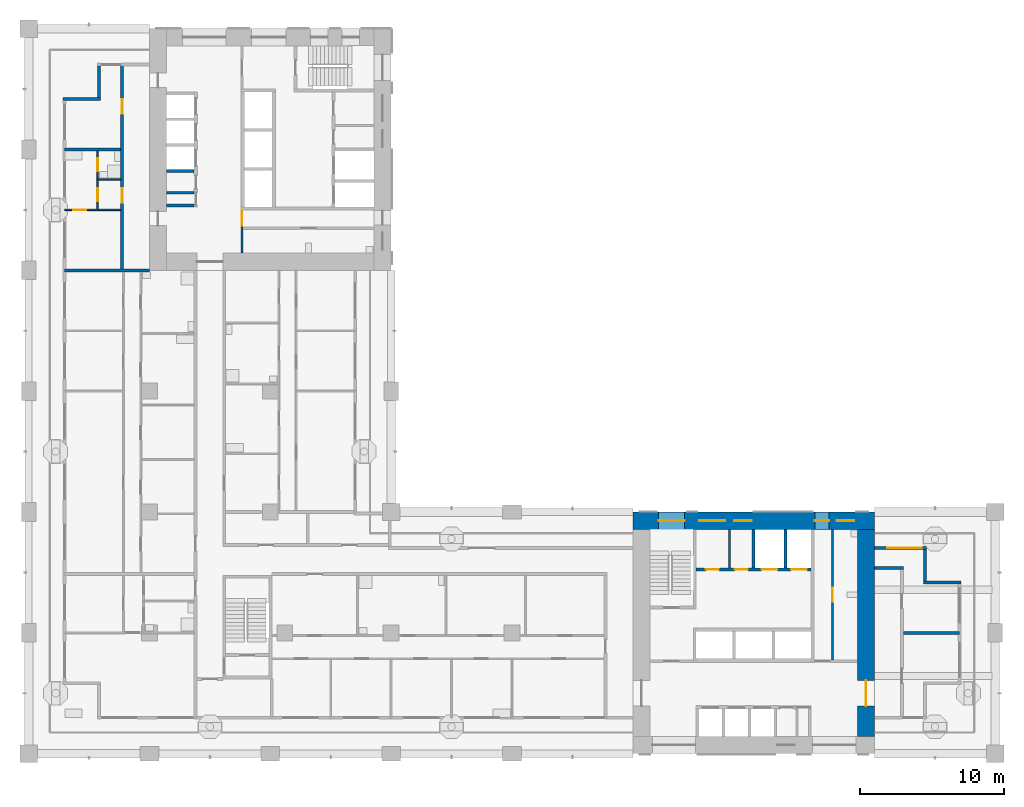
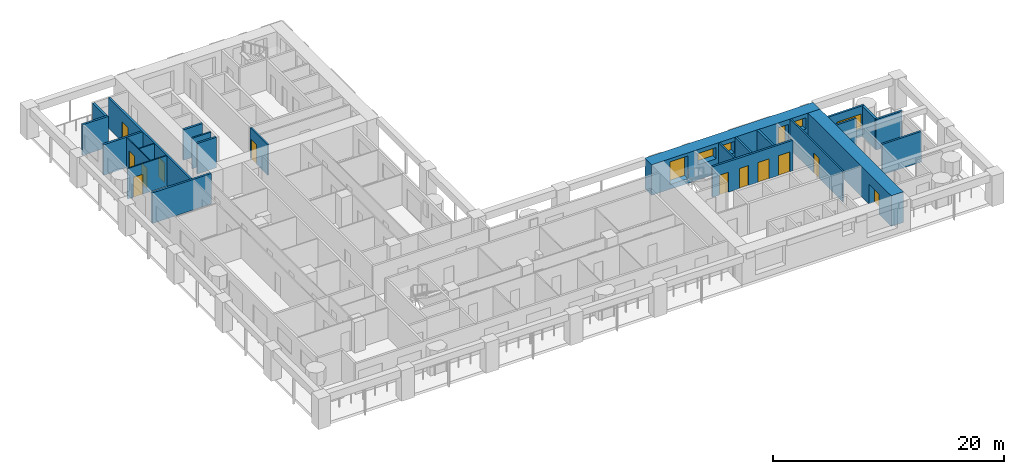
# One storey, part 6 of 18: 24 walls, 12 doors, 6 windows, 18 openings.
"""IFC4 building model written with IfcOpenShell, lengths in metres."""

import ifcopenshell
import ifcopenshell.guid

model = None  # the IFC model being written
_history = None  # IfcOwnerHistory: only IFC2X3 demands one
_inside = {}  # id of a spatial element -> (the spatial element, [elements in it])
_under = {}  # id of a project, library or spatial element -> (it, [spatial elements below it])
_declared = {}  # id of a project -> (the project, [libraries it declares])
_typed = {}  # id of a type object -> (the type object, [elements of that type])
_made_of = {}  # id of a material, layer set ... -> (it, [elements and type objects made of it])


def new_model(schema):
    """Start an empty IFC model of exactly this schema.

    Asked for "IFC4X3", IfcOpenShell would pick the latest addendum, in which some entities
    have other attributes; the version numbers below select the first issue.
    IFC2X3 requires an IfcOwnerHistory on every rooted entity: one is made here for all.
    """
    global model, _history
    if schema == "IFC4X3":
        model = ifcopenshell.file(schema_version=(4, 3, 0, 0))
    else:
        model = ifcopenshell.file(schema=schema)
    _inside.clear()
    _under.clear()
    _declared.clear()
    _typed.clear()
    _made_of.clear()
    _history = None
    if model.schema == "IFC2X3":
        org = make("IfcOrganization", Name="unknown")
        user = make(
            "IfcPersonAndOrganization",
            ThePerson=make("IfcPerson", FamilyName="unknown"),
            TheOrganization=org,
        )
        app = make(
            "IfcApplication",
            ApplicationDeveloper=org,
            Version="unknown",
            ApplicationFullName="unknown",
            ApplicationIdentifier="unknown",
        )
        _history = make(
            "IfcOwnerHistory",
            OwningUser=user,
            OwningApplication=app,
            ChangeAction="ADDED",
            CreationDate=0,
        )
    return model


def make(cls, **values):
    """One entity of the class cls with the attributes given. An attribute that is None is left unset."""
    return model.create_entity(
        cls, **{name: value for name, value in values.items() if value is not None}
    )


def rooted(cls, **values):
    """An entity with a GlobalId (a new one), such as an element, a storey or a relation."""
    return make(cls, GlobalId=ifcopenshell.guid.new(), OwnerHistory=_history, **values)


def si_unit(unit_type, name, prefix=None):
    """IfcSIUnit, for example si_unit("LENGTHUNIT", "METRE", prefix="MILLI")."""
    return make("IfcSIUnit", UnitType=unit_type, Prefix=prefix, Name=name)


def assignment(units):
    """IfcUnitAssignment: the units of a project."""
    return None if units is None else make("IfcUnitAssignment", Units=units)


def point(xyz):
    """IfcCartesianPoint."""
    return None if xyz is None else make("IfcCartesianPoint", Coordinates=xyz)


def direction(xyz):
    """IfcDirection."""
    return None if xyz is None else make("IfcDirection", DirectionRatios=xyz)


def frame(location, z_axis=None, x_axis=None):
    """IfcAxis2Placement3D, a coordinate frame: its origin and axes. An axis left out is left unset."""
    return make(
        "IfcAxis2Placement3D",
        Location=point(location),
        Axis=direction(z_axis),
        RefDirection=direction(x_axis),
    )


def frame_2d(location, x_axis=None):
    """IfcAxis2Placement2D, a coordinate frame in the plane: its origin and x axis."""
    return make(
        "IfcAxis2Placement2D", Location=point(location), RefDirection=direction(x_axis)
    )


def origin():
    """The frame at (0, 0, 0) with its axes left unset."""
    return frame((0.0, 0.0, 0.0))


def place(relative_to, where):
    """IfcLocalPlacement: puts the frame where relative to a parent placement (None: the world)."""
    return make(
        "IfcLocalPlacement", PlacementRelTo=relative_to, RelativePlacement=where
    )


def context(
    kind, dimensions, precision=None, world=None, true_north=None, identifier=None
):
    """IfcGeometricRepresentationContext, for example the 3D "Model" context."""
    return make(
        "IfcGeometricRepresentationContext",
        ContextIdentifier=identifier,
        ContextType=kind,
        CoordinateSpaceDimension=dimensions,
        Precision=precision,
        WorldCoordinateSystem=world,
        TrueNorth=true_north,
    )


def subcontext(parent, identifier, kind, view, scale=None):
    """IfcGeometricRepresentationSubContext, for example "Body" below "Model"."""
    return make(
        "IfcGeometricRepresentationSubContext",
        ContextIdentifier=identifier,
        ContextType=kind,
        ParentContext=parent,
        TargetScale=scale,
        TargetView=view,
    )


def project(units=None, contexts=None):
    """IfcProject with its units and contexts."""
    return rooted(
        "IfcProject",
        Name="project",
        RepresentationContexts=contexts,
        UnitsInContext=assignment(units),
    )


def spatial(cls, under=None, at=None, **own):
    """A site, building, storey or space (cls), placed at a placement, below another one or the project."""
    s = rooted(cls, ObjectPlacement=at, **own)
    if under is not None:
        _under.setdefault(under.id(), (under, []))[1].append(s)
    return s


def profile(cls, at=None, kind="AREA", **sizes):
    """A parametric profile (cls). Its sizes go by their IFC names, for example OverallWidth=200.0."""
    return make(cls, ProfileType=kind, Position=at, **sizes)


def rectangle(**sizes):
    """IfcRectangleProfileDef."""
    return profile("IfcRectangleProfileDef", **sizes)


def extrude(swept, where, along, depth):
    """IfcExtrudedAreaSolid: the profile swept, set in the frame where, extruded along a direction by depth."""
    return make(
        "IfcExtrudedAreaSolid",
        SweptArea=swept,
        Position=where,
        ExtrudedDirection=direction(along),
        Depth=depth,
    )


def shape(context_of_items, identifier, shape_type, items):
    """IfcShapeRepresentation: the items that make up one representation, for example the "Body"."""
    return make(
        "IfcShapeRepresentation",
        ContextOfItems=context_of_items,
        RepresentationIdentifier=identifier,
        RepresentationType=shape_type,
        Items=items,
    )


def material(Name=None, Category=None):
    """IfcMaterial."""
    return make("IfcMaterial", Name=Name, Category=Category)


def layer(
    of_material, thickness, ventilated=None, Name=None, Category=None, Priority=None
):
    """IfcMaterialLayer: one layer of a wall or slab, of a material (None: an air gap)."""
    return make(
        "IfcMaterialLayer",
        Material=of_material,
        LayerThickness=thickness,
        IsVentilated=ventilated,
        Name=Name,
        Category=Category,
        Priority=Priority,
    )


def layer_set(layers, Name=None):
    """IfcMaterialLayerSet."""
    return make("IfcMaterialLayerSet", MaterialLayers=layers, LayerSetName=Name)


def made_of(thing, what):
    """Note that an element or type object is made of a material, layer set ...; save() writes the relation."""
    if what is not None:
        _made_of.setdefault(what.id(), (what, []))[1].append(thing)
    return thing


def type_object(cls, material=None, **own):
    """A type object (cls), such as IfcWallType, which elements share."""
    return made_of(rooted(cls, **own), material)


def element(
    cls,
    number,
    at=None,
    inside=None,
    cuts=None,
    type_object=None,
    material=None,
    context=None,
    identifier="Body",
    shape_type=None,
    held_by="IfcProductDefinitionShape",
    body=None,
    shapes=None,
    **own,
):
    """One element of the class cls, such as IfcWall. Its Tag is "e" and its number.

    at: its placement. inside: the storey or other place that contains it. cuts: it is an
    opening in that element (IfcRelVoidsElement). A single representation is given by context,
    identifier, shape_type and body (its items); several are given by shapes. held_by: the class
    of the entity that holds the representations. save() writes the other relations.
    """
    e = rooted(cls, Tag="e%d" % number, ObjectPlacement=at, **own)
    if body is not None:
        shapes = [shape(context, identifier, shape_type, body)]
    if shapes is not None:
        e.Representation = make(held_by, Representations=shapes)
    if inside is not None:
        _inside.setdefault(inside.id(), (inside, []))[1].append(e)
    if cuts is not None:
        rooted(
            "IfcRelVoidsElement", RelatingBuildingElement=cuts, RelatedOpeningElement=e
        )
    if type_object is not None:
        _typed.setdefault(type_object.id(), (type_object, []))[1].append(e)
    return made_of(e, material)


def fill(opening, filler):
    """IfcRelFillsElement: the door or window that sits in an opening."""
    return rooted(
        "IfcRelFillsElement",
        RelatingOpeningElement=opening,
        RelatedBuildingElement=filler,
    )


def aggregate(whole, parts):
    """IfcRelAggregates: a whole, such as a stair, and the parts it consists of."""
    return rooted("IfcRelAggregates", RelatingObject=whole, RelatedObjects=parts)


def save(model, path):
    """Write the relations noted so far, then the file.

    IfcRelAggregates (storeys below a building ...), IfcRelContainedInSpatialStructure (elements
    in a storey), IfcRelDefinesByType, IfcRelAssociatesMaterial and IfcRelDeclares: one each for
    every whole, place, type object, material and project.
    """
    for whole, parts in _under.values():
        aggregate(whole, parts)
    for where, things in _inside.values():
        rooted(
            "IfcRelContainedInSpatialStructure",
            RelatedElements=things,
            RelatingStructure=where,
        )
    for kind, things in _typed.values():
        rooted("IfcRelDefinesByType", RelatedObjects=things, RelatingType=kind)
    for what, things in _made_of.values():
        rooted("IfcRelAssociatesMaterial", RelatedObjects=things, RelatingMaterial=what)
    for by, libraries in _declared.values():
        rooted("IfcRelDeclares", RelatingContext=by, RelatedDefinitions=libraries)
    model.write(path)


model = new_model("IFC4")

# Units and contexts
model_context = context("Model", 3, precision=1e-05, world=origin(), true_north=direction((0.0, 1.0)))
body_context = subcontext(model_context, "Body", "Model", "MODEL_VIEW")
ifc_project = project(units=[si_unit("LENGTHUNIT", "METRE"), si_unit("AREAUNIT", "SQUARE_METRE"), si_unit("VOLUMEUNIT", "CUBIC_METRE"), si_unit("PLANEANGLEUNIT", "RADIAN"), si_unit("MASSUNIT", "GRAM", prefix="KILO")], contexts=[model_context])

# Site, building, storey
site_placement = place(None, origin())
site = spatial("IfcSite", under=ifc_project, at=site_placement, CompositionType="ELEMENT")
building_placement = place(site_placement, origin())
building = spatial("IfcBuilding", under=site, at=building_placement, Name="Vermilion Gate Residences", CompositionType="ELEMENT")
storey_placement = place(building_placement, frame((0.0, 0.0, 105.699951171875)))
storey = spatial("IfcBuildingStorey", under=building, at=storey_placement, Name="L26", CompositionType="ELEMENT", Elevation=105.699951171875)

# Wall
ifc_material_1 = material(Name="Masonry blockwork", Category="masonry")
ifc_layer_1 = layer(ifc_material_1, 0.14990234375)
ifc_layer_set_1 = layer_set([ifc_layer_1], Name="BLOCKWORK PARTITION 150 EI 120")
wall_type_1 = type_object("IfcWallType", Name="BLOCKWORK PARTITION 150 EI 120", PredefinedType="PARTITIONING", material=ifc_layer_set_1)
wall_1_placement = place(storey_placement, frame((48.72509765625, 21.300048828125, 0.0), z_axis=(0.0, 0.0, 1.0), x_axis=(0.0, 1.0, 0.0)))
element("IfcWall", 1, at=wall_1_placement, inside=storey, type_object=wall_type_1, Name="Core room partition A26-NR-P0", PredefinedType="PARTITIONING", context=body_context, shape_type="SweptSolid", body=[
    extrude(rectangle(XDim=2.699951171875, YDim=0.14990234375, at=frame_2d((1.35009765625, 0.0))), origin(), (0.0, 0.0, 1.0), 3.219970703125),
])

# Wall, opening, door
wall_2_placement = place(storey_placement, frame((55.875, 14.89990234375, 0.0), z_axis=(0.0, 0.0, 1.0), x_axis=(0.0, 1.0, 0.0)))
wall_2 = element("IfcWall", 2, at=wall_2_placement, inside=storey, type_object=wall_type_1, Name="Core room partition A26-ES-W", PredefinedType="PARTITIONING", context=body_context, shape_type="SweptSolid", body=[
    extrude(rectangle(XDim=9.10009765625, YDim=0.14990234375, at=frame_2d((4.550048828125, 0.0))), origin(), (0.0, 0.0, 1.0), 3.219970703125),
])
opening_1_placement = place(wall_2_placement, frame((4.050048828125, 0.0, 0.0)))
opening_1 = element("IfcOpeningElement", 3, at=opening_1_placement, cuts=wall_2, Name="Opening DK26015", PredefinedType="OPENING", context=body_context, shape_type="SweptSolid", body=[
    extrude(rectangle(XDim=1.0, YDim=2.10009765625, at=frame_2d((0.5, 1.050048828125))), frame((0.0, 0.0849609375, 0.0), z_axis=(0.0, -1.0, 0.0), x_axis=(1.0, 0.0, 0.0)), (0.0, 0.0, 1.0), 0.169921875),
])
ifc_material_2 = material(Name="Steel", Category="steel")
door_type_1 = type_object("IfcDoorType", Name="FIRE DOOR FD60 1000 X 2100", OperationType="SINGLE_SWING_LEFT", PredefinedType="DOOR", material=ifc_material_2)
door_1_placement = place(opening_1_placement, frame((1.0, 0.0, 0.0), z_axis=(0.0, 0.0, 1.0), x_axis=(-1.0, 0.0, 0.0)))
door_1 = element("IfcDoor", 4, at=door_1_placement, inside=storey, type_object=door_type_1, Name="Accessible WC A26", OperationType="SINGLE_SWING_RIGHT", OverallHeight=2.10009765625, OverallWidth=1.0, PredefinedType="DOOR", context=body_context, shape_type="SweptSolid", body=[
    extrude(rectangle(XDim=1.0, YDim=2.10009765625, at=frame_2d((0.5, 1.050048828125))), frame((0.0, 0.02490234375, 0.0), z_axis=(0.0, -1.0, 0.0), x_axis=(1.0, 0.0, 0.0)), (0.0, 0.0, 1.0), 0.050048828125),
])
fill(opening_1, door_1)

# Wall
wall_3_placement = place(storey_placement, frame((9.60009765625, 47.392578125, 0.0), z_axis=(0.0, 0.0, 1.0), x_axis=(1.0, 0.0, 0.0)))
element("IfcWall", 5, at=wall_3_placement, inside=storey, type_object=wall_type_1, Name="Core room partition B26-SR-P0", PredefinedType="PARTITIONING", context=body_context, shape_type="SweptSolid", body=[
    extrude(rectangle(XDim=1.89990234375, YDim=0.14990234375, at=frame_2d((0.949951171875, 0.0))), origin(), (0.0, 0.0, 1.0), 3.219970703125),
])

# Wall, opening, door
wall_4_placement = place(storey_placement, frame((14.824951171875, 46.199951171875, 0.0), z_axis=(0.0, 0.0, 1.0), x_axis=(0.0, -1.0, 0.0)))
wall_4 = element("IfcWall", 6, at=wall_4_placement, inside=storey, type_object=wall_type_1, Name="Core room partition B26-ES-S", PredefinedType="PARTITIONING", context=body_context, shape_type="SweptSolid", body=[
    extrude(rectangle(XDim=3.0, YDim=0.14990234375, at=frame_2d((1.5, 0.0))), origin(), (0.0, 0.0, 1.0), 3.219970703125),
])
opening_2_placement = place(wall_4_placement, frame((0.10009765625, 0.0, 0.0)))
opening_2 = element("IfcOpeningElement", 7, at=opening_2_placement, cuts=wall_4, Name="Opening DK26115", PredefinedType="OPENING", context=body_context, shape_type="SweptSolid", body=[
    extrude(rectangle(XDim=1.0, YDim=2.10009765625, at=frame_2d((0.5, 1.050048828125))), frame((0.0, 0.0849609375, 0.0), z_axis=(0.0, -1.0, 0.0), x_axis=(1.0, 0.0, 0.0)), (0.0, 0.0, 1.0), 0.169921875),
])
door_2_placement = place(opening_2_placement, frame((1.0, 0.0, 0.0), z_axis=(0.0, 0.0, 1.0), x_axis=(-1.0, 0.0, 0.0)))
door_2 = element("IfcDoor", 8, at=door_2_placement, inside=storey, type_object=door_type_1, Name="Service corridor door B26", OperationType="SINGLE_SWING_LEFT", OverallHeight=2.10009765625, OverallWidth=1.0, PredefinedType="DOOR", context=body_context, shape_type="SweptSolid", body=[
    extrude(rectangle(XDim=1.0, YDim=2.10009765625, at=frame_2d((0.5, 1.050048828125))), frame((0.0, 0.02490234375, 0.0), z_axis=(0.0, -1.0, 0.0), x_axis=(1.0, 0.0, 0.0)), (0.0, 0.0, 1.0), 0.050048828125),
])
fill(opening_2, door_2)

# Walls
ifc_material_3 = material(Name="Insulated steel stud wall with terracotta rainscreen", Category="masonry")
ifc_layer_2 = layer(ifc_material_3, 0.199951171875)
ifc_layer_set_2 = layer_set([ifc_layer_2], Name="EXTERNAL WALL 200 TERRACOTTA RAINSCREEN")
wall_type_2 = type_object("IfcWallType", Name="EXTERNAL WALL 200 TERRACOTTA RAINSCREEN", PredefinedType="SOLIDWALL", material=ifc_layer_set_2)
wall_5_placement = place(storey_placement, frame((4.89990234375, 56.199951171875, 0.0), z_axis=(0.0, 0.0, 1.0), x_axis=(0.0, -1.0, 0.0)))
element("IfcWall", 9, at=wall_5_placement, inside=storey, type_object=wall_type_2, Name="External wall", PredefinedType="SOLIDWALL", context=body_context, shape_type="SweptSolid", body=[
    extrude(rectangle(XDim=2.199951171875, YDim=0.199951171875, at=frame_2d((1.10009765625, 0.0))), origin(), (0.0, 0.0, 1.0), 3.219970703125),
])
for number, where, z_axis, x_axis, name in (
    (10, (5.0, 53.89990234375, 0.0), (0.0, 0.0, 1.0), (-1.0, 0.0, 0.0), "External wall"),
    (11, (64.800048828125, 20.300048828125, 0.0), (0.0, 0.0, 1.0), (-1.0, 0.0, 0.0), "External wall"),
):
    element("IfcWall", number, at=place(storey_placement, frame(where, z_axis=z_axis, x_axis=x_axis)), inside=storey, type_object=wall_type_2, Name=name, PredefinedType="SOLIDWALL", context=body_context, shape_type="SweptSolid", body=[
        extrude(rectangle(XDim=2.60009765625, YDim=0.199951171875, at=frame_2d((1.300048828125, 0.0))), origin(), (0.0, 0.0, 1.0), 3.219970703125),
    ])
wall_6_placement = place(storey_placement, frame((62.300048828125, 20.39990234375, 0.0), z_axis=(0.0, 0.0, 1.0), x_axis=(0.0, 1.0, 0.0)))
element("IfcWall", 12, at=wall_6_placement, inside=storey, type_object=wall_type_2, Name="External wall", PredefinedType="SOLIDWALL", context=body_context, shape_type="SweptSolid", body=[
    extrude(rectangle(XDim=2.2001953125, YDim=0.199951171875, at=frame_2d((1.10009765625, 0.0))), origin(), (0.0, 0.0, 1.0), 3.219970703125),
])

# Wall, opening, window
wall_7_placement = place(storey_placement, frame((62.39990234375, 22.699951171875, 0.0), z_axis=(0.0, 0.0, 1.0), x_axis=(-1.0, 0.0, 0.0)))
wall_7 = element("IfcWall", 13, at=wall_7_placement, inside=storey, type_object=wall_type_2, Name="External wall", PredefinedType="SOLIDWALL", context=body_context, shape_type="SweptSolid", body=[
    extrude(rectangle(XDim=3.599853515625, YDim=0.199951171875, at=frame_2d((1.7998046875, 0.0))), origin(), (0.0, 0.0, 1.0), 3.219970703125),
])
opening_3_placement = place(wall_7_placement, frame((0.300048828125, 0.0, 0.89990234375)))
opening_3 = element("IfcOpeningElement", 14, at=opening_3_placement, cuts=wall_7, Name="Opening WE26023", PredefinedType="OPENING", context=body_context, shape_type="SweptSolid", body=[
    extrude(rectangle(XDim=2.39990234375, YDim=1.5, at=frame_2d((1.199951171875, 0.75))), frame((0.0, 0.10986328125, 0.0), z_axis=(0.0, -1.0, 0.0), x_axis=(1.0, 0.0, 0.0)), (0.0, 0.0, 1.0), 0.219970703125),
])
ifc_material_4 = material(Name="Aluminium and clear glass", Category="aluminium")
window_type_1 = type_object("IfcWindowType", Name="WINDOW 2400 X 1500", PartitioningType="SINGLE_PANEL", PredefinedType="WINDOW", material=ifc_material_4)
window_1_placement = place(opening_3_placement, origin())
window_1 = element("IfcWindow", 15, at=window_1_placement, inside=storey, type_object=window_type_1, Name="Window", OverallHeight=1.5, OverallWidth=2.39990234375, PartitioningType="SINGLE_PANEL", PredefinedType="WINDOW", context=body_context, shape_type="SweptSolid", body=[
    extrude(rectangle(XDim=2.39990234375, YDim=1.5, at=frame_2d((1.199951171875, 0.75))), frame((0.0, 0.030029296875, 0.0), z_axis=(0.0, -1.0, 0.0), x_axis=(1.0, 0.0, 0.0)), (0.0, 0.0, 1.0), 0.06005859375),
])
fill(opening_3, window_1)

# Wall, opening, door
ifc_material_5 = material(Name="Plasterboard on steel studs", Category="steel")
ifc_layer_3 = layer(ifc_material_5, 0.10009765625)
ifc_layer_set_3 = layer_set([ifc_layer_3], Name="PARTITION 100")
wall_type_3 = type_object("IfcWallType", Name="PARTITION 100", PredefinedType="PARTITIONING", material=ifc_layer_set_3)
wall_8_placement = place(storey_placement, frame((2.5, 46.199951171875, 0.0), z_axis=(0.0, 0.0, 1.0), x_axis=(1.0, 0.0, 0.0)))
wall_8 = element("IfcWall", 16, at=wall_8_placement, inside=storey, type_object=wall_type_3, Name="Partition", PredefinedType="PARTITIONING", context=body_context, shape_type="SweptSolid", body=[
    extrude(rectangle(XDim=3.89990234375, YDim=0.10009765625, at=frame_2d((1.949951171875, 0.0))), origin(), (0.0, 0.0, 1.0), 3.219970703125),
])
opening_4_placement = place(wall_8_placement, frame((0.60009765625, 0.0, 0.0)))
opening_4 = element("IfcOpeningElement", 17, at=opening_4_placement, cuts=wall_8, Name="Opening DA25015", PredefinedType="OPENING", context=body_context, shape_type="SweptSolid", body=[
    extrude(rectangle(XDim=0.89990234375, YDim=2.10009765625, at=frame_2d((0.449951171875, 1.050048828125))), frame((0.0, 0.06005859375, 0.0), z_axis=(0.0, -1.0, 0.0), x_axis=(1.0, 0.0, 0.0)), (0.0, 0.0, 1.0), 0.1201171875),
])
ifc_material_6 = material(Name="Timber", Category="wood")
door_type_2 = type_object("IfcDoorType", Name="INTERIOR DOOR 900 X 2100", OperationType="SINGLE_SWING_LEFT", PredefinedType="DOOR", material=ifc_material_6)
door_3_placement = place(opening_4_placement, origin())
door_3 = element("IfcDoor", 18, at=door_3_placement, inside=storey, type_object=door_type_2, Name="Interior door", OperationType="SINGLE_SWING_LEFT", OverallHeight=2.10009765625, OverallWidth=0.89990234375, PredefinedType="DOOR", context=body_context, shape_type="SweptSolid", body=[
    extrude(rectangle(XDim=0.89990234375, YDim=2.10009765625, at=frame_2d((0.449951171875, 1.050048828125))), frame((0.0, 0.02490234375, 0.0), z_axis=(0.0, -1.0, 0.0), x_axis=(1.0, 0.0, 0.0)), (0.0, 0.0, 1.0), 0.050048828125),
])
fill(opening_4, door_3)

# Wall
wall_9_placement = place(storey_placement, frame((4.85009765625, 48.300048828125, 0.0), z_axis=(0.0, 0.0, 1.0), x_axis=(1.0, 0.0, 0.0)))
element("IfcWall", 19, at=wall_9_placement, inside=storey, type_object=wall_type_3, Name="Partition", PredefinedType="PARTITIONING", context=body_context, shape_type="SweptSolid", body=[
    extrude(rectangle(XDim=1.5498046875, YDim=0.10009765625, at=frame_2d((0.77490234375, 0.0))), origin(), (0.0, 0.0, 1.0), 3.219970703125),
])

# Wall, openings, doors
wall_10_placement = place(storey_placement, frame((4.800048828125, 46.25, 0.0), z_axis=(0.0, 0.0, 1.0), x_axis=(0.0, 1.0, 0.0)))
wall_10 = element("IfcWall", 20, at=wall_10_placement, inside=storey, type_object=wall_type_3, Name="Partition", PredefinedType="PARTITIONING", context=body_context, shape_type="SweptSolid", body=[
    extrude(rectangle(XDim=4.050048828125, YDim=0.10009765625, at=frame_2d((2.02490234375, 0.0))), origin(), (0.0, 0.0, 1.0), 3.219970703125),
])
opening_5_placement = place(wall_10_placement, frame((0.550048828125, 0.0, 0.0)))
opening_5 = element("IfcOpeningElement", 21, at=opening_5_placement, cuts=wall_10, Name="Opening DA25016", PredefinedType="OPENING", context=body_context, shape_type="SweptSolid", body=[
    extrude(rectangle(XDim=0.89990234375, YDim=2.10009765625, at=frame_2d((0.449951171875, 1.050048828125))), frame((0.0, 0.06005859375, 0.0), z_axis=(0.0, -1.0, 0.0), x_axis=(1.0, 0.0, 0.0)), (0.0, 0.0, 1.0), 0.1201171875),
])
opening_6_placement = place(wall_10_placement, frame((2.64990234375, 0.0, 0.0)))
opening_6 = element("IfcOpeningElement", 22, at=opening_6_placement, cuts=wall_10, Name="Opening DA25017", PredefinedType="OPENING", context=body_context, shape_type="SweptSolid", body=[
    extrude(rectangle(XDim=0.89990234375, YDim=2.10009765625, at=frame_2d((0.449951171875, 1.050048828125))), frame((0.0, 0.06005859375, 0.0), z_axis=(0.0, -1.0, 0.0), x_axis=(1.0, 0.0, 0.0)), (0.0, 0.0, 1.0), 0.1201171875),
])
door_4_placement = place(opening_5_placement, origin())
door_4 = element("IfcDoor", 23, at=door_4_placement, inside=storey, type_object=door_type_2, Name="Interior door", OperationType="SINGLE_SWING_LEFT", OverallHeight=2.10009765625, OverallWidth=0.89990234375, PredefinedType="DOOR", context=body_context, shape_type="SweptSolid", body=[
    extrude(rectangle(XDim=0.89990234375, YDim=2.10009765625, at=frame_2d((0.449951171875, 1.050048828125))), frame((0.0, 0.02490234375, 0.0), z_axis=(0.0, -1.0, 0.0), x_axis=(1.0, 0.0, 0.0)), (0.0, 0.0, 1.0), 0.050048828125),
])
fill(opening_5, door_4)
door_5_placement = place(opening_6_placement, frame((0.89990234375, 0.0, 0.0), z_axis=(0.0, 0.0, 1.0), x_axis=(-1.0, 0.0, 0.0)))
door_5 = element("IfcDoor", 24, at=door_5_placement, inside=storey, type_object=door_type_2, Name="Interior door", OperationType="SINGLE_SWING_RIGHT", OverallHeight=2.10009765625, OverallWidth=0.89990234375, PredefinedType="DOOR", context=body_context, shape_type="SweptSolid", body=[
    extrude(rectangle(XDim=0.89990234375, YDim=2.10009765625, at=frame_2d((0.449951171875, 1.050048828125))), frame((0.0, 0.02490234375, 0.0), z_axis=(0.0, -1.0, 0.0), x_axis=(1.0, 0.0, 0.0)), (0.0, 0.0, 1.0), 0.050048828125),
])
fill(opening_6, door_5)

# Walls
ifc_material_7 = material(Name="Fire-rated plasterboard on steel studs", Category="steel")
ifc_layer_4 = layer(ifc_material_7, 0.199951171875)
ifc_layer_set_4 = layer_set([ifc_layer_4], Name="PARTY WALL 200 EI 120")
wall_type_4 = type_object("IfcWallType", Name="PARTY WALL 200 EI 120", PredefinedType="PARTITIONING", material=ifc_layer_set_4)
wall_11_placement = place(storey_placement, frame((60.800048828125, 16.800048828125, 0.0), z_axis=(0.0, 0.0, 1.0), x_axis=(1.0, 0.0, 0.0)))
element("IfcWall", 25, at=wall_11_placement, inside=storey, type_object=wall_type_4, Name="Party and corridor wall", PredefinedType="PARTITIONING", context=body_context, shape_type="SweptSolid", body=[
    extrude(rectangle(XDim=3.89990234375, YDim=0.199951171875, at=frame_2d((1.949951171875, 0.0))), origin(), (0.0, 0.0, 1.0), 3.219970703125),
])
wall_12_placement = place(storey_placement, frame((58.800048828125, 21.300048828125, 0.0), z_axis=(0.0, 0.0, 1.0), x_axis=(1.0, 0.0, 0.0)))
element("IfcWall", 26, at=wall_12_placement, inside=storey, type_object=wall_type_4, Name="Party and corridor wall", PredefinedType="PARTITIONING", context=body_context, shape_type="SweptSolid", body=[
    extrude(rectangle(XDim=2.0, YDim=0.199951171875, at=frame_2d((1.0, 0.0))), origin(), (0.0, 0.0, 1.0), 3.219970703125),
])
wall_13_placement = place(storey_placement, frame((2.5, 42.0, 0.0), z_axis=(0.0, 0.0, 1.0), x_axis=(1.0, 0.0, 0.0)))
element("IfcWall", 27, at=wall_13_placement, inside=storey, type_object=wall_type_4, Name="Party and corridor wall", PredefinedType="PARTITIONING", context=body_context, shape_type="SweptSolid", body=[
    extrude(rectangle(XDim=5.89990234375, YDim=0.199951171875, at=frame_2d((2.949951171875, 0.0))), origin(), (0.0, 0.0, 1.0), 3.219970703125),
])
wall_14_placement = place(storey_placement, frame((2.5, 50.39990234375, 0.0), z_axis=(0.0, 0.0, 1.0), x_axis=(1.0, 0.0, 0.0)))
element("IfcWall", 28, at=wall_14_placement, inside=storey, type_object=wall_type_4, Name="Party and corridor wall", PredefinedType="PARTITIONING", context=body_context, shape_type="SweptSolid", body=[
    extrude(rectangle(XDim=3.89990234375, YDim=0.199951171875, at=frame_2d((1.949951171875, 0.0))), origin(), (0.0, 0.0, 1.0), 3.219970703125),
])

# Wall, openings, doors
wall_15_placement = place(storey_placement, frame((6.5, 42.10009765625, 0.0), z_axis=(0.0, 0.0, 1.0), x_axis=(0.0, 1.0, 0.0)))
wall_15 = element("IfcWall", 29, at=wall_15_placement, inside=storey, type_object=wall_type_4, Name="Party and corridor wall", PredefinedType="PARTITIONING", context=body_context, shape_type="SweptSolid", body=[
    extrude(rectangle(XDim=14.199951171875, YDim=0.199951171875, at=frame_2d((7.10009765625, 0.0))), origin(), (0.0, 0.0, 1.0), 3.219970703125),
])
opening_7_placement = place(wall_15_placement, frame((4.60009765625, 0.0, 0.0)))
opening_7 = element("IfcOpeningElement", 30, at=opening_7_placement, cuts=wall_15, Name="Opening DA25018", PredefinedType="OPENING", context=body_context, shape_type="SweptSolid", body=[
    extrude(rectangle(XDim=1.0, YDim=2.10009765625, at=frame_2d((0.5, 1.050048828125))), frame((0.0, 0.10986328125, 0.0), z_axis=(0.0, -1.0, 0.0), x_axis=(1.0, 0.0, 0.0)), (0.0, 0.0, 1.0), 0.219970703125),
])
opening_8_placement = place(wall_15_placement, frame((10.800048828125, 0.0, 0.0)))
opening_8 = element("IfcOpeningElement", 31, at=opening_8_placement, cuts=wall_15, Name="Opening DA25019", PredefinedType="OPENING", context=body_context, shape_type="SweptSolid", body=[
    extrude(rectangle(XDim=1.0, YDim=2.10009765625, at=frame_2d((0.5, 1.050048828125))), frame((0.0, 0.10986328125, 0.0), z_axis=(0.0, -1.0, 0.0), x_axis=(1.0, 0.0, 0.0)), (0.0, 0.0, 1.0), 0.219970703125),
])
ifc_material_8 = material(Name="Steel", Category="steel")
door_type_3 = type_object("IfcDoorType", Name="ENTRANCE DOOR 1000 X 2100 FD30", OperationType="SINGLE_SWING_LEFT", PredefinedType="DOOR", material=ifc_material_8)
door_6_placement = place(opening_7_placement, origin())
door_6 = element("IfcDoor", 32, at=door_6_placement, inside=storey, type_object=door_type_3, Name="Entrance door", OperationType="SINGLE_SWING_LEFT", OverallHeight=2.10009765625, OverallWidth=1.0, PredefinedType="DOOR", context=body_context, shape_type="SweptSolid", body=[
    extrude(rectangle(XDim=1.0, YDim=2.10009765625, at=frame_2d((0.5, 1.050048828125))), frame((0.0, 0.02490234375, 0.0), z_axis=(0.0, -1.0, 0.0), x_axis=(1.0, 0.0, 0.0)), (0.0, 0.0, 1.0), 0.050048828125),
])
fill(opening_7, door_6)
door_7_placement = place(opening_8_placement, origin())
door_7 = element("IfcDoor", 33, at=door_7_placement, inside=storey, type_object=door_type_3, Name="Entrance door", OperationType="SINGLE_SWING_RIGHT", OverallHeight=2.10009765625, OverallWidth=1.0, PredefinedType="DOOR", context=body_context, shape_type="SweptSolid", body=[
    extrude(rectangle(XDim=1.0, YDim=2.10009765625, at=frame_2d((0.5, 1.050048828125))), frame((0.0, 0.02490234375, 0.0), z_axis=(0.0, -1.0, 0.0), x_axis=(1.0, 0.0, 0.0)), (0.0, 0.0, 1.0), 0.050048828125),
])
fill(opening_8, door_7)

# Walls
ifc_material_9 = material(Name="Concrete C60", Category="concrete")
ifc_layer_5 = layer(ifc_material_9, 0.199951171875)
ifc_layer_set_5 = layer_set([ifc_layer_5], Name="RC CORE INTERNAL WALL 200 C60")
wall_type_5 = type_object("IfcWallType", Name="RC CORE INTERNAL WALL 200 C60", PredefinedType="SHEAR", material=ifc_layer_set_5)
for number, where, z_axis, x_axis, name in (
    (34, (50.39990234375, 21.300048828125, 0.0), (0.0, 0.0, 1.0), (0.0, 1.0, 0.0), "Core internal wall A26-FF-D0"),
    (35, (52.60009765625, 21.300048828125, 0.0), (0.0, 0.0, 1.0), (0.0, 1.0, 0.0), "Core internal wall A26-FF-D1"),
):
    element("IfcWall", number, at=place(storey_placement, frame(where, z_axis=z_axis, x_axis=x_axis)), inside=storey, type_object=wall_type_5, Name=name, PredefinedType="SHEAR", context=body_context, shape_type="SweptSolid", body=[
        extrude(rectangle(XDim=2.699951171875, YDim=0.199951171875, at=frame_2d((1.35009765625, 0.0))), origin(), (0.0, 0.0, 1.0), 3.219970703125),
    ])

# Wall, openings, doors
wall_16_placement = place(storey_placement, frame((46.39990234375, 21.199951171875, 0.0), z_axis=(0.0, 0.0, 1.0), x_axis=(1.0, 0.0, 0.0)))
wall_16 = element("IfcWall", 36, at=wall_16_placement, inside=storey, type_object=wall_type_5, Name="Core internal wall A26-FF-F", PredefinedType="SHEAR", context=body_context, shape_type="SweptSolid", body=[
    extrude(rectangle(XDim=8.0, YDim=0.199951171875, at=frame_2d((4.0, 0.0))), origin(), (0.0, 0.0, 1.0), 3.219970703125),
])
opening_9_placement = place(wall_16_placement, frame((0.675048828125, 0.0, 0.0)))
opening_9 = element("IfcOpeningElement", 37, at=opening_9_placement, cuts=wall_16, Name="Opening DK26008", PredefinedType="OPENING", context=body_context, shape_type="SweptSolid", body=[
    extrude(rectangle(XDim=0.89990234375, YDim=2.10009765625, at=frame_2d((0.449951171875, 1.050048828125))), frame((0.0, 0.10986328125, 0.0), z_axis=(0.0, -1.0, 0.0), x_axis=(1.0, 0.0, 0.0)), (0.0, 0.0, 1.0), 0.219970703125),
])
opening_10_placement = place(wall_16_placement, frame((2.699951171875, 0.0, 0.0)))
opening_10 = element("IfcOpeningElement", 38, at=opening_10_placement, cuts=wall_16, Name="Opening DK26009", PredefinedType="OPENING", context=body_context, shape_type="SweptSolid", body=[
    extrude(rectangle(XDim=0.89990234375, YDim=2.10009765625, at=frame_2d((0.449951171875, 1.050048828125))), frame((0.0, 0.10986328125, 0.0), z_axis=(0.0, -1.0, 0.0), x_axis=(1.0, 0.0, 0.0)), (0.0, 0.0, 1.0), 0.219970703125),
])
opening_11_placement = place(wall_16_placement, frame((4.550048828125, 0.0, 0.0)))
opening_11 = element("IfcOpeningElement", 39, at=opening_11_placement, cuts=wall_16, Name="Opening LD", PredefinedType="OPENING", context=body_context, shape_type="SweptSolid", body=[
    extrude(rectangle(XDim=1.10009765625, YDim=2.10009765625, at=frame_2d((0.550048828125, 1.050048828125))), frame((0.0, 0.10986328125, 0.0), z_axis=(0.0, -1.0, 0.0), x_axis=(1.0, 0.0, 0.0)), (0.0, 0.0, 1.0), 0.219970703125),
])
opening_12_placement = place(wall_16_placement, frame((6.60009765625, 0.0, 0.0)))
opening_12 = element("IfcOpeningElement", 40, at=opening_12_placement, cuts=wall_16, Name="Opening LD", PredefinedType="OPENING", context=body_context, shape_type="SweptSolid", body=[
    extrude(rectangle(XDim=1.10009765625, YDim=2.10009765625, at=frame_2d((0.550048828125, 1.050048828125))), frame((0.0, 0.10986328125, 0.0), z_axis=(0.0, -1.0, 0.0), x_axis=(1.0, 0.0, 0.0)), (0.0, 0.0, 1.0), 0.219970703125),
])
ifc_material_10 = material(Name="Stainless steel", Category="steel")
door_type_4 = type_object("IfcDoorType", Name="LIFT LANDING DOOR E60 1100 X 2100", OperationType="DOUBLE_DOOR_SLIDING", PredefinedType="DOOR", material=ifc_material_10)
door_8_placement = place(opening_11_placement, origin())
door_8 = element("IfcDoor", 41, at=door_8_placement, inside=storey, type_object=door_type_4, Name="Lift landing door LFA1", OperationType="DOUBLE_DOOR_SLIDING", OverallHeight=2.10009765625, OverallWidth=1.10009765625, PredefinedType="DOOR", context=body_context, shape_type="SweptSolid", body=[
    extrude(rectangle(XDim=1.10009765625, YDim=2.10009765625, at=frame_2d((0.550048828125, 1.050048828125))), frame((0.0, 0.02490234375, 0.0), z_axis=(0.0, -1.0, 0.0), x_axis=(1.0, 0.0, 0.0)), (0.0, 0.0, 1.0), 0.050048828125),
])
fill(opening_11, door_8)
door_9_placement = place(opening_12_placement, origin())
door_9 = element("IfcDoor", 42, at=door_9_placement, inside=storey, type_object=door_type_4, Name="Lift landing door LCA1", OperationType="DOUBLE_DOOR_SLIDING", OverallHeight=2.10009765625, OverallWidth=1.10009765625, PredefinedType="DOOR", context=body_context, shape_type="SweptSolid", body=[
    extrude(rectangle(XDim=1.10009765625, YDim=2.10009765625, at=frame_2d((0.550048828125, 1.050048828125))), frame((0.0, 0.02490234375, 0.0), z_axis=(0.0, -1.0, 0.0), x_axis=(1.0, 0.0, 0.0)), (0.0, 0.0, 1.0), 0.050048828125),
])
fill(opening_12, door_9)
ifc_material_11 = material(Name="Steel", Category="steel")
door_type_5 = type_object("IfcDoorType", Name="SERVICE ROOM DOOR FD60 900 X 2100", OperationType="SINGLE_SWING_LEFT", PredefinedType="DOOR", material=ifc_material_11)
door_10_placement = place(opening_9_placement, origin())
door_10 = element("IfcDoor", 43, at=door_10_placement, inside=storey, type_object=door_type_5, Name="Housekeeping store A26", OperationType="SINGLE_SWING_LEFT", OverallHeight=2.10009765625, OverallWidth=0.89990234375, PredefinedType="DOOR", context=body_context, shape_type="SweptSolid", body=[
    extrude(rectangle(XDim=0.89990234375, YDim=2.10009765625, at=frame_2d((0.449951171875, 1.050048828125))), frame((0.0, 0.02490234375, 0.0), z_axis=(0.0, -1.0, 0.0), x_axis=(1.0, 0.0, 0.0)), (0.0, 0.0, 1.0), 0.050048828125),
])
fill(opening_9, door_10)
door_11_placement = place(opening_10_placement, origin())
door_11 = element("IfcDoor", 44, at=door_11_placement, inside=storey, type_object=door_type_5, Name="Mail room A26", OperationType="SINGLE_SWING_LEFT", OverallHeight=2.10009765625, OverallWidth=0.89990234375, PredefinedType="DOOR", context=body_context, shape_type="SweptSolid", body=[
    extrude(rectangle(XDim=0.89990234375, YDim=2.10009765625, at=frame_2d((0.449951171875, 1.050048828125))), frame((0.0, 0.02490234375, 0.0), z_axis=(0.0, -1.0, 0.0), x_axis=(1.0, 0.0, 0.0)), (0.0, 0.0, 1.0), 0.050048828125),
])
fill(opening_10, door_11)

# Walls
for number, where, z_axis, x_axis, name in (
    (45, (9.60009765625, 48.89990234375, 0.0), (0.0, 0.0, 1.0), (1.0, 0.0, 0.0), "Core internal wall B26-LR-D3"),
    (46, (9.60009765625, 46.5, 0.0), (0.0, 0.0, 1.0), (1.0, 0.0, 0.0), "Core internal wall B26-LR-DE"),
):
    element("IfcWall", number, at=place(storey_placement, frame(where, z_axis=z_axis, x_axis=x_axis)), inside=storey, type_object=wall_type_5, Name=name, PredefinedType="SHEAR", context=body_context, shape_type="SweptSolid", body=[
        extrude(rectangle(XDim=1.89990234375, YDim=0.199951171875, at=frame_2d((0.949951171875, 0.0))), origin(), (0.0, 0.0, 1.0), 3.219970703125),
    ])

# Wall, opening, door
ifc_material_12 = material(Name="Concrete C70", Category="concrete")
ifc_layer_6 = layer(ifc_material_12, 1.199951171875)
ifc_layer_set_6 = layer_set([ifc_layer_6], Name="RC CORE WALL 1200 C70")
wall_type_6 = type_object("IfcWallType", Name="RC CORE WALL 1200 C70", PredefinedType="SHEAR", material=ifc_layer_set_6)
wall_17_placement = place(storey_placement, frame((58.199951171875, 9.60009765625, 0.0), z_axis=(0.0, 0.0, 1.0), x_axis=(0.0, 1.0, 0.0)))
wall_17 = element("IfcWall", 47, at=wall_17_placement, inside=storey, type_object=wall_type_6, Name="Core wall A26-OUT-BK", PredefinedType="SHEAR", context=body_context, shape_type="SweptSolid", body=[
    extrude(rectangle(XDim=14.39990234375, YDim=1.199951171875, at=frame_2d((7.199951171875, 0.0))), origin(), (0.0, 0.0, 1.0), 3.219970703125),
])
opening_13_placement = place(wall_17_placement, frame((2.10009765625, 0.0, 0.0)))
opening_13 = element("IfcOpeningElement", 48, at=opening_13_placement, cuts=wall_17, Name="Opening DK26002", PredefinedType="OPENING", context=body_context, shape_type="SweptSolid", body=[
    extrude(rectangle(XDim=1.800048828125, YDim=2.10009765625, at=frame_2d((0.89990234375, 1.050048828125))), frame((0.0, 0.60986328125, 0.0), z_axis=(0.0, -1.0, 0.0), x_axis=(1.0, 0.0, 0.0)), (0.0, 0.0, 1.0), 1.219970703125),
])
ifc_material_13 = material(Name="Steel", Category="steel")
door_type_6 = type_object("IfcDoorType", Name="CORE LOBBY DOOR FD60 1800 X 2100", OperationType="DOUBLE_DOOR_SINGLE_SWING", PredefinedType="DOOR", material=ifc_material_13)
door_12_placement = place(opening_13_placement, origin())
door_12 = element("IfcDoor", 49, at=door_12_placement, inside=storey, type_object=door_type_6, Name="Core lobby door A26", OperationType="DOUBLE_DOOR_SINGLE_SWING", OverallHeight=2.10009765625, OverallWidth=1.800048828125, PredefinedType="DOOR", context=body_context, shape_type="SweptSolid", body=[
    extrude(rectangle(XDim=1.800048828125, YDim=2.10009765625, at=frame_2d((0.89990234375, 1.050048828125))), frame((0.0, 0.02490234375, 0.0), z_axis=(0.0, -1.0, 0.0), x_axis=(1.0, 0.0, 0.0)), (0.0, 0.0, 1.0), 0.050048828125),
])
fill(opening_13, door_12)

# Wall, openings, windows
ifc_material_14 = material(Name="Concrete C70 red-oxide pigmented", Category="concrete")
ifc_layer_7 = layer(ifc_material_14, 1.199951171875)
ifc_layer_set_7 = layer_set([ifc_layer_7], Name="RC CORE WALL 1200 C70 RED OXIDE")
wall_type_7 = type_object("IfcWallType", Name="RC CORE WALL 1200 C70 RED OXIDE", PredefinedType="SHEAR", material=ifc_layer_set_7)
wall_18_placement = place(storey_placement, frame((42.0, 24.60009765625, 0.0), z_axis=(0.0, 0.0, 1.0), x_axis=(1.0, 0.0, 0.0)))
wall_18 = element("IfcWall", 50, at=wall_18_placement, inside=storey, type_object=wall_type_7, Name="Core wall A26-OUT-B1", PredefinedType="SHEAR", context=body_context, shape_type="SweptSolid", body=[
    extrude(rectangle(XDim=16.800048828125, YDim=1.199951171875, at=frame_2d((8.39990234375, 0.0))), origin(), (0.0, 0.0, 1.0), 3.219970703125),
])
opening_14_placement = place(wall_18_placement, frame((1.800048828125, 0.0, 0.5)))
opening_14 = element("IfcOpeningElement", 51, at=opening_14_placement, cuts=wall_18, Name="Opening WKA2604", PredefinedType="OPENING", context=body_context, shape_type="SweptSolid", body=[
    extrude(rectangle(XDim=1.800048828125, YDim=2.39990234375, at=frame_2d((0.89990234375, 1.199951171875))), frame((0.0, 0.60986328125, 0.0), z_axis=(0.0, -1.0, 0.0), x_axis=(1.0, 0.0, 0.0)), (0.0, 0.0, 1.0), 1.219970703125),
])
opening_15_placement = place(wall_18_placement, frame((4.625, 0.0, 1.60009765625)))
opening_15 = element("IfcOpeningElement", 52, at=opening_15_placement, cuts=wall_18, Name="Opening WKA2605", PredefinedType="OPENING", context=body_context, shape_type="SweptSolid", body=[
    extrude(rectangle(XDim=1.800048828125, YDim=1.199951171875, at=frame_2d((0.89990234375, 0.60009765625))), frame((0.0, 0.60986328125, 0.0), z_axis=(0.0, -1.0, 0.0), x_axis=(1.0, 0.0, 0.0)), (0.0, 0.0, 1.0), 1.219970703125),
])
opening_16_placement = place(wall_18_placement, frame((7.050048828125, 0.0, 1.60009765625)))
opening_16 = element("IfcOpeningElement", 53, at=opening_16_placement, cuts=wall_18, Name="Opening WKA2606", PredefinedType="OPENING", context=body_context, shape_type="SweptSolid", body=[
    extrude(rectangle(XDim=1.199951171875, YDim=1.199951171875, at=frame_2d((0.60009765625, 0.60009765625))), frame((0.0, 0.60986328125, 0.0), z_axis=(0.0, -1.0, 0.0), x_axis=(1.0, 0.0, 0.0)), (0.0, 0.0, 1.0), 1.219970703125),
])
opening_17_placement = place(wall_18_placement, frame((12.64990234375, 0.0, 0.60009765625)))
opening_17 = element("IfcOpeningElement", 54, at=opening_17_placement, cuts=wall_18, Name="Opening WKA2607", PredefinedType="OPENING", context=body_context, shape_type="SweptSolid", body=[
    extrude(rectangle(XDim=1.0, YDim=2.10009765625, at=frame_2d((0.5, 1.050048828125))), frame((0.0, 0.60986328125, 0.0), z_axis=(0.0, -1.0, 0.0), x_axis=(1.0, 0.0, 0.0)), (0.0, 0.0, 1.0), 1.219970703125),
])
opening_18_placement = place(wall_18_placement, frame((14.175048828125, 0.0, 1.60009765625)))
opening_18 = element("IfcOpeningElement", 55, at=opening_18_placement, cuts=wall_18, Name="Opening WKA2608", PredefinedType="OPENING", context=body_context, shape_type="SweptSolid", body=[
    extrude(rectangle(XDim=1.199951171875, YDim=1.199951171875, at=frame_2d((0.60009765625, 0.60009765625))), frame((0.0, 0.60986328125, 0.0), z_axis=(0.0, -1.0, 0.0), x_axis=(1.0, 0.0, 0.0)), (0.0, 0.0, 1.0), 1.219970703125),
])
ifc_material_15 = material(Name="Aluminium and clear glass", Category="aluminium")
window_type_2 = type_object("IfcWindowType", Name="CORE CORRIDOR WINDOW 1000 X 2100", PartitioningType="SINGLE_PANEL", PredefinedType="WINDOW", material=ifc_material_15)
window_2_placement = place(opening_17_placement, origin())
window_2 = element("IfcWindow", 56, at=window_2_placement, inside=storey, type_object=window_type_2, Name="Core corridor window", OverallHeight=2.10009765625, OverallWidth=1.0, PartitioningType="SINGLE_PANEL", PredefinedType="WINDOW", context=body_context, shape_type="SweptSolid", body=[
    extrude(rectangle(XDim=1.0, YDim=2.10009765625, at=frame_2d((0.5, 1.050048828125))), frame((0.0, 0.030029296875, 0.0), z_axis=(0.0, -1.0, 0.0), x_axis=(1.0, 0.0, 0.0)), (0.0, 0.0, 1.0), 0.06005859375),
])
fill(opening_17, window_2)
ifc_material_16 = material(Name="Aluminium frame with louvre blades", Category="aluminium")
window_type_3 = type_object("IfcWindowType", Name="CORE LOUVRE 1200 X 1200", PartitioningType="SINGLE_PANEL", PredefinedType="WINDOW", material=ifc_material_16)
window_3_placement = place(opening_16_placement, origin())
window_3 = element("IfcWindow", 57, at=window_3_placement, inside=storey, type_object=window_type_3, Name="Core louvre", OverallHeight=1.199951171875, OverallWidth=1.199951171875, PartitioningType="SINGLE_PANEL", PredefinedType="WINDOW", context=body_context, shape_type="SweptSolid", body=[
    extrude(rectangle(XDim=1.199951171875, YDim=1.199951171875, at=frame_2d((0.60009765625, 0.60009765625))), frame((0.0, 0.030029296875, 0.0), z_axis=(0.0, -1.0, 0.0), x_axis=(1.0, 0.0, 0.0)), (0.0, 0.0, 1.0), 0.06005859375),
])
fill(opening_16, window_3)
window_4_placement = place(opening_18_placement, origin())
window_4 = element("IfcWindow", 58, at=window_4_placement, inside=storey, type_object=window_type_3, Name="Core louvre", OverallHeight=1.199951171875, OverallWidth=1.199951171875, PartitioningType="SINGLE_PANEL", PredefinedType="WINDOW", context=body_context, shape_type="SweptSolid", body=[
    extrude(rectangle(XDim=1.199951171875, YDim=1.199951171875, at=frame_2d((0.60009765625, 0.60009765625))), frame((0.0, 0.030029296875, 0.0), z_axis=(0.0, -1.0, 0.0), x_axis=(1.0, 0.0, 0.0)), (0.0, 0.0, 1.0), 0.06005859375),
])
fill(opening_18, window_4)
ifc_material_17 = material(Name="Aluminium frame with louvre blades", Category="aluminium")
window_type_4 = type_object("IfcWindowType", Name="CORE LOUVRE 1800 X 1200", PartitioningType="SINGLE_PANEL", PredefinedType="WINDOW", material=ifc_material_17)
window_5_placement = place(opening_15_placement, origin())
window_5 = element("IfcWindow", 59, at=window_5_placement, inside=storey, type_object=window_type_4, Name="Core louvre", OverallHeight=1.199951171875, OverallWidth=1.800048828125, PartitioningType="SINGLE_PANEL", PredefinedType="WINDOW", context=body_context, shape_type="SweptSolid", body=[
    extrude(rectangle(XDim=1.800048828125, YDim=1.199951171875, at=frame_2d((0.89990234375, 0.60009765625))), frame((0.0, 0.030029296875, 0.0), z_axis=(0.0, -1.0, 0.0), x_axis=(1.0, 0.0, 0.0)), (0.0, 0.0, 1.0), 0.06005859375),
])
fill(opening_15, window_5)
ifc_material_18 = material(Name="Aluminium and clear glass", Category="aluminium")
window_type_5 = type_object("IfcWindowType", Name="CORE STAIR WINDOW 1800 X 2400", PartitioningType="SINGLE_PANEL", PredefinedType="WINDOW", material=ifc_material_18)
window_6_placement = place(opening_14_placement, origin())
window_6 = element("IfcWindow", 60, at=window_6_placement, inside=storey, type_object=window_type_5, Name="Core stair window", OverallHeight=2.39990234375, OverallWidth=1.800048828125, PartitioningType="SINGLE_PANEL", PredefinedType="WINDOW", context=body_context, shape_type="SweptSolid", body=[
    extrude(rectangle(XDim=1.800048828125, YDim=2.39990234375, at=frame_2d((0.89990234375, 1.199951171875))), frame((0.0, 0.030029296875, 0.0), z_axis=(0.0, -1.0, 0.0), x_axis=(1.0, 0.0, 0.0)), (0.0, 0.0, 1.0), 0.06005859375),
])
fill(opening_14, window_6)

save(model, "model.ifc")
